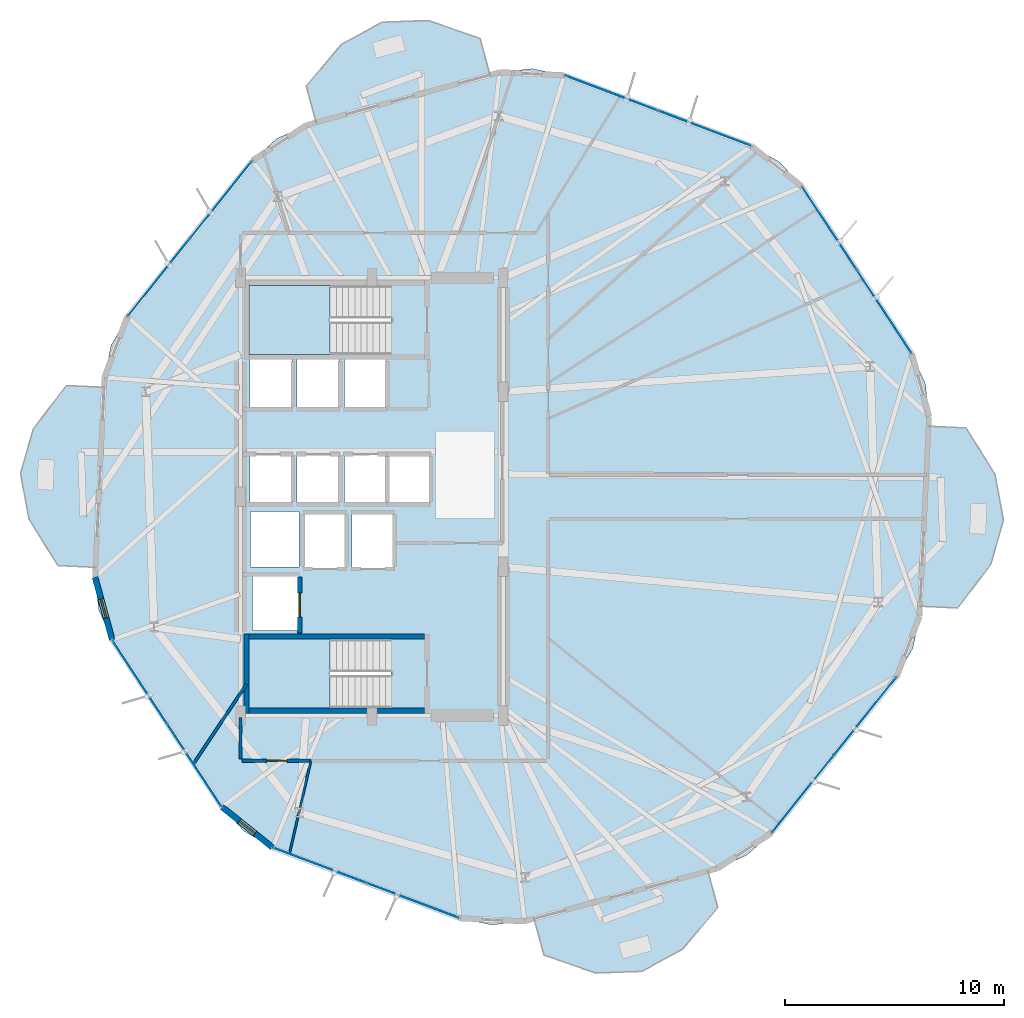
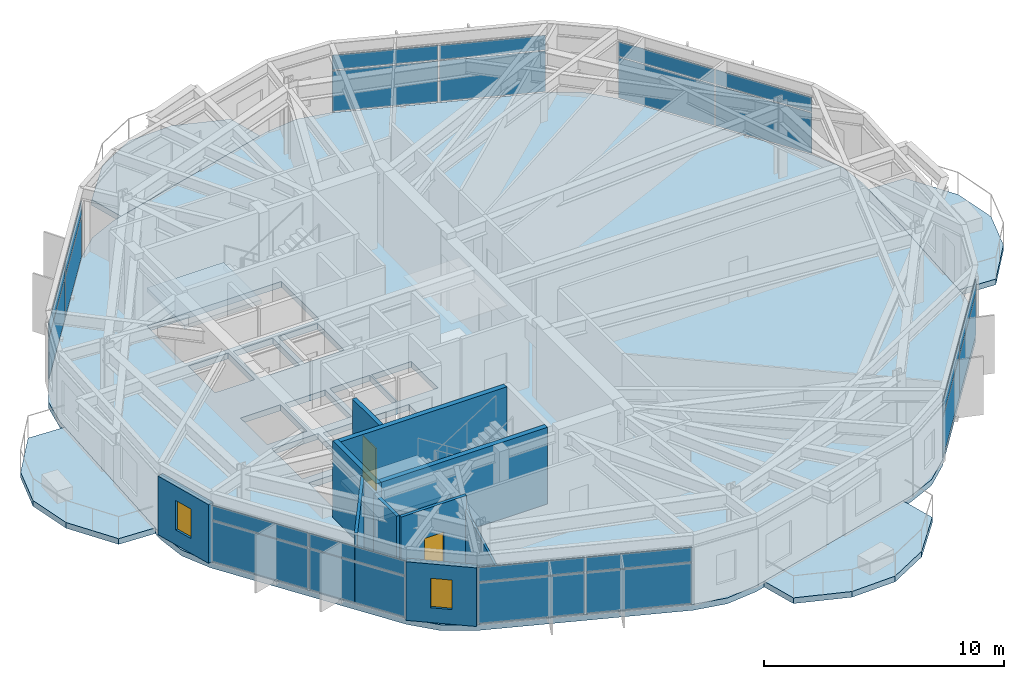
# One storey, part 19 of 25: 24 plates, 10 walls, 7 slabs, 2 doors, 2 windows, 4 openings, 8 elements without a shape of their own.
"""IFC4 building model written with IfcOpenShell, lengths in metres."""

from ifc_helpers import new_model, si_unit, direction, frame, frame_2d, origin, origin_2d, place, context, subcontext, project, spatial, polyline, rectangle, outline, extrude, material, layer, layer_set, type_object, element, fill, aggregate, save


model = new_model("IFC4")

# Units and contexts
model_context = context("Model", 3, precision=1e-05, world=origin(), true_north=direction((0.0, 1.0)))
body_context = subcontext(model_context, "Body", "Model", "MODEL_VIEW")
ifc_project = project(units=[si_unit("LENGTHUNIT", "METRE"), si_unit("AREAUNIT", "SQUARE_METRE"), si_unit("VOLUMEUNIT", "CUBIC_METRE"), si_unit("PLANEANGLEUNIT", "RADIAN"), si_unit("MASSUNIT", "GRAM", prefix="KILO")], contexts=[model_context])

# Site, building, storey
site_placement = place(None, origin())
site = spatial("IfcSite", under=ifc_project, at=site_placement, CompositionType="ELEMENT")
building_placement = place(site_placement, origin())
building = spatial("IfcBuilding", under=site, at=building_placement, Name="Soratama Intermodal Tower", CompositionType="ELEMENT")
storey_placement = place(building_placement, frame((0.0, 0.0, 87.39990234375)))
storey = spatial("IfcBuildingStorey", under=building, at=storey_placement, Name="L20", CompositionType="ELEMENT", Elevation=87.39990234375)

# Curtain wall, plates
ifc_material_1 = material(Name="Double-glazed aluminium curtain wall", Category="aluminium")
ifc_layer_1 = layer(ifc_material_1, 0.159912109375)
ifc_layer_set_1 = layer_set([ifc_layer_1], Name="Double-glazed aluminium curtain wall")
curtain_wall_type = type_object("IfcCurtainWallType", Name="CW-SYS-3", PredefinedType="NOTDEFINED", material=ifc_layer_set_1)
curtain_wall_1_placement = place(storey_placement, origin())
curtain_wall_1 = element("IfcCurtainWall", 1, at=curtain_wall_1_placement, inside=storey, type_object=curtain_wall_type, Name="L20 Faceted Curtain Wall F01", PredefinedType="NOTDEFINED")
ifc_material_2 = material(Name="Low-E laminated double glazing", Category="glass")
ifc_layer_2 = layer(ifc_material_2, 0.028076171875)
ifc_layer_set_2 = layer_set([ifc_layer_2], Name="Low-E laminated double glazing")
plate_type = type_object("IfcPlateType", Name="PT-CWP-3", PredefinedType="CURTAIN_PANEL", material=ifc_layer_set_2)
plate_1_placement = place(storey_placement, frame((61.998779296875, 33.453369140625, 0.06005859375), z_axis=(0.0, 0.0, 1.0), x_axis=(-0.549022692078, 0.835807444082, 0.0)))
plate_1 = element("IfcPlate", 2, at=plate_1_placement, type_object=plate_type, Name="CW-3 panel 1.1", PredefinedType="CURTAIN_PANEL", context=body_context, shape_type="SweptSolid", body=[
    extrude(rectangle(XDim=4.474853515625, YDim=0.028076171875, at=origin_2d()), origin(), (0.0, 0.0, 1.0), 2.06005859375),
])
plate_2_placement = place(storey_placement, frame((61.998779296875, 33.453369140625, 2.18017578125), z_axis=(0.0, 0.0, 1.0), x_axis=(-0.549022692078, 0.835807444082, 0.0)))
plate_2 = element("IfcPlate", 3, at=plate_2_placement, type_object=plate_type, Name="CW-3 panel 1.2", PredefinedType="CURTAIN_PANEL", context=body_context, shape_type="SweptSolid", body=[
    extrude(rectangle(XDim=4.474853515625, YDim=0.028076171875, at=origin_2d()), origin(), (0.0, 0.0, 1.0), 0.739013671875),
])
plate_3_placement = place(storey_placement, frame((59.50927734375, 37.24365234375, 0.06005859375), z_axis=(0.0, 0.0, 1.0), x_axis=(-0.549022692078, 0.835807444082, 0.0)))
plate_3 = element("IfcPlate", 4, at=plate_3_placement, type_object=plate_type, Name="CW-3 panel 2.1", PredefinedType="CURTAIN_PANEL", context=body_context, shape_type="SweptSolid", body=[
    extrude(rectangle(XDim=4.474853515625, YDim=0.028076171875, at=origin_2d()), origin(), (0.0, 0.0, 1.0), 2.06005859375),
])
plate_4_placement = place(storey_placement, frame((59.50927734375, 37.24365234375, 2.18017578125), z_axis=(0.0, 0.0, 1.0), x_axis=(-0.549022692078, 0.835807444082, 0.0)))
plate_4 = element("IfcPlate", 5, at=plate_4_placement, type_object=plate_type, Name="CW-3 panel 2.2", PredefinedType="CURTAIN_PANEL", context=body_context, shape_type="SweptSolid", body=[
    extrude(rectangle(XDim=4.474853515625, YDim=0.028076171875, at=origin_2d()), origin(), (0.0, 0.0, 1.0), 0.739013671875),
])
aggregate(curtain_wall_1, [plate_1, plate_2, plate_3, plate_4])

curtain_wall_2_placement = place(storey_placement, origin())
curtain_wall_2 = element("IfcCurtainWall", 6, at=curtain_wall_2_placement, inside=storey, type_object=curtain_wall_type, Name="L20 Faceted Curtain Wall F02", PredefinedType="NOTDEFINED")
plate_5_placement = place(storey_placement, frame((53.78369140625, 41.83056640625, 0.06005859375), z_axis=(0.0, 0.0, 1.0), x_axis=(-0.935446662578, 0.353467878982, 0.0)))
plate_5 = element("IfcPlate", 7, at=plate_5_placement, type_object=plate_type, Name="CW-3 panel 1.1", PredefinedType="CURTAIN_PANEL", context=body_context, shape_type="SweptSolid", body=[
    extrude(rectangle(XDim=4.474853515625, YDim=0.028076171875, at=origin_2d()), origin(), (0.0, 0.0, 1.0), 2.06005859375),
])
plate_6_placement = place(storey_placement, frame((53.78369140625, 41.83056640625, 2.18017578125), z_axis=(0.0, 0.0, 1.0), x_axis=(-0.935446662578, 0.353467878982, 0.0)))
plate_6 = element("IfcPlate", 8, at=plate_6_placement, type_object=plate_type, Name="CW-3 panel 1.2", PredefinedType="CURTAIN_PANEL", context=body_context, shape_type="SweptSolid", body=[
    extrude(rectangle(XDim=4.474853515625, YDim=0.028076171875, at=origin_2d()), origin(), (0.0, 0.0, 1.0), 0.739013671875),
])
plate_7_placement = place(storey_placement, frame((49.54150390625, 43.43359375, 0.06005859375), z_axis=(0.0, 0.0, 1.0), x_axis=(-0.935446662578, 0.353467878982, 0.0)))
plate_7 = element("IfcPlate", 9, at=plate_7_placement, type_object=plate_type, Name="CW-3 panel 2.1", PredefinedType="CURTAIN_PANEL", context=body_context, shape_type="SweptSolid", body=[
    extrude(rectangle(XDim=4.474853515625, YDim=0.028076171875, at=origin_2d()), origin(), (0.0, 0.0, 1.0), 2.06005859375),
])
plate_8_placement = place(storey_placement, frame((49.54150390625, 43.43359375, 2.18017578125), z_axis=(0.0, 0.0, 1.0), x_axis=(-0.935446662578, 0.353467878982, 0.0)))
plate_8 = element("IfcPlate", 10, at=plate_8_placement, type_object=plate_type, Name="CW-3 panel 2.2", PredefinedType="CURTAIN_PANEL", context=body_context, shape_type="SweptSolid", body=[
    extrude(rectangle(XDim=4.474853515625, YDim=0.028076171875, at=origin_2d()), origin(), (0.0, 0.0, 1.0), 0.739013671875),
])
aggregate(curtain_wall_2, [plate_5, plate_6, plate_7, plate_8])

curtain_wall_3_placement = place(storey_placement, origin())
curtain_wall_3 = element("IfcCurtainWall", 11, at=curtain_wall_3_placement, inside=storey, type_object=curtain_wall_type, Name="L20 Faceted Curtain Wall F04", PredefinedType="NOTDEFINED")
plate_9_placement = place(storey_placement, frame((31.707275390625, 38.5546875, 0.06005859375), z_axis=(0.0, 0.0, 1.0), x_axis=(-0.625241237795, -0.780431543802, 0.0)))
plate_9 = element("IfcPlate", 12, at=plate_9_placement, type_object=plate_type, Name="CW-3 panel 1.1", PredefinedType="CURTAIN_PANEL", context=body_context, shape_type="SweptSolid", body=[
    extrude(rectangle(XDim=4.474609375, YDim=0.028076171875, at=origin_2d()), origin(), (0.0, 0.0, 1.0), 2.06005859375),
])
plate_10_placement = place(storey_placement, frame((31.707275390625, 38.5546875, 2.18017578125), z_axis=(0.0, 0.0, 1.0), x_axis=(-0.625241237795, -0.780431543802, 0.0)))
plate_10 = element("IfcPlate", 13, at=plate_10_placement, type_object=plate_type, Name="CW-3 panel 1.2", PredefinedType="CURTAIN_PANEL", context=body_context, shape_type="SweptSolid", body=[
    extrude(rectangle(XDim=4.474609375, YDim=0.028076171875, at=origin_2d()), origin(), (0.0, 0.0, 1.0), 0.739013671875),
])
plate_11_placement = place(storey_placement, frame((28.8720703125, 35.015625, 0.06005859375), z_axis=(0.0, 0.0, 1.0), x_axis=(-0.625241237795, -0.780431543802, 0.0)))
plate_11 = element("IfcPlate", 14, at=plate_11_placement, type_object=plate_type, Name="CW-3 panel 2.1", PredefinedType="CURTAIN_PANEL", context=body_context, shape_type="SweptSolid", body=[
    extrude(rectangle(XDim=4.474609375, YDim=0.028076171875, at=origin_2d()), origin(), (0.0, 0.0, 1.0), 2.06005859375),
])
plate_12_placement = place(storey_placement, frame((28.8720703125, 35.015625, 2.18017578125), z_axis=(0.0, 0.0, 1.0), x_axis=(-0.625241237795, -0.780431543802, 0.0)))
plate_12 = element("IfcPlate", 15, at=plate_12_placement, type_object=plate_type, Name="CW-3 panel 2.2", PredefinedType="CURTAIN_PANEL", context=body_context, shape_type="SweptSolid", body=[
    extrude(rectangle(XDim=4.474609375, YDim=0.028076171875, at=origin_2d()), origin(), (0.0, 0.0, 1.0), 0.739013671875),
])
aggregate(curtain_wall_3, [plate_9, plate_10, plate_11, plate_12])

curtain_wall_4_placement = place(storey_placement, origin())
curtain_wall_4 = element("IfcCurtainWall", 16, at=curtain_wall_4_placement, inside=storey, type_object=curtain_wall_type, Name="L20 Faceted Curtain Wall F06", PredefinedType="NOTDEFINED")
plate_13_placement = place(storey_placement, frame((28.001220703125, 16.546630859375, 0.06005859375), z_axis=(0.0, 0.0, 1.0), x_axis=(0.549022692078, -0.835807444082, 0.0)))
plate_13 = element("IfcPlate", 17, at=plate_13_placement, type_object=plate_type, Name="CW-3 panel 1.1", PredefinedType="CURTAIN_PANEL", context=body_context, shape_type="SweptSolid", body=[
    extrude(rectangle(XDim=4.474853515625, YDim=0.028076171875, at=origin_2d()), origin(), (0.0, 0.0, 1.0), 2.06005859375),
])
plate_14_placement = place(storey_placement, frame((28.001220703125, 16.546630859375, 2.18017578125), z_axis=(0.0, 0.0, 1.0), x_axis=(0.549022692078, -0.835807444082, 0.0)))
plate_14 = element("IfcPlate", 18, at=plate_14_placement, type_object=plate_type, Name="CW-3 panel 1.2", PredefinedType="CURTAIN_PANEL", context=body_context, shape_type="SweptSolid", body=[
    extrude(rectangle(XDim=4.474853515625, YDim=0.028076171875, at=origin_2d()), origin(), (0.0, 0.0, 1.0), 0.739013671875),
])
plate_15_placement = place(storey_placement, frame((30.49072265625, 12.75634765625, 0.06005859375), z_axis=(0.0, 0.0, 1.0), x_axis=(0.549022692078, -0.835807444082, 0.0)))
plate_15 = element("IfcPlate", 19, at=plate_15_placement, type_object=plate_type, Name="CW-3 panel 2.1", PredefinedType="CURTAIN_PANEL", context=body_context, shape_type="SweptSolid", body=[
    extrude(rectangle(XDim=4.474853515625, YDim=0.028076171875, at=origin_2d()), origin(), (0.0, 0.0, 1.0), 2.06005859375),
])
plate_16_placement = place(storey_placement, frame((30.49072265625, 12.75634765625, 2.18017578125), z_axis=(0.0, 0.0, 1.0), x_axis=(0.549022692078, -0.835807444082, 0.0)))
plate_16 = element("IfcPlate", 20, at=plate_16_placement, type_object=plate_type, Name="CW-3 panel 2.2", PredefinedType="CURTAIN_PANEL", context=body_context, shape_type="SweptSolid", body=[
    extrude(rectangle(XDim=4.474853515625, YDim=0.028076171875, at=origin_2d()), origin(), (0.0, 0.0, 1.0), 0.739013671875),
])
aggregate(curtain_wall_4, [plate_13, plate_14, plate_15, plate_16])

curtain_wall_5_placement = place(storey_placement, origin())
curtain_wall_5 = element("IfcCurtainWall", 21, at=curtain_wall_5_placement, inside=storey, type_object=curtain_wall_type, Name="L20 Faceted Curtain Wall F07", PredefinedType="NOTDEFINED")
plate_17_placement = place(storey_placement, frame((36.21630859375, 8.16943359375, 0.06005859375), z_axis=(0.0, 0.0, 1.0), x_axis=(0.935446662578, -0.353467878982, 0.0)))
plate_17 = element("IfcPlate", 22, at=plate_17_placement, type_object=plate_type, Name="CW-3 panel 1.1", PredefinedType="CURTAIN_PANEL", context=body_context, shape_type="SweptSolid", body=[
    extrude(rectangle(XDim=4.474853515625, YDim=0.028076171875, at=origin_2d()), origin(), (0.0, 0.0, 1.0), 2.06005859375),
])
plate_18_placement = place(storey_placement, frame((36.21630859375, 8.16943359375, 2.18017578125), z_axis=(0.0, 0.0, 1.0), x_axis=(0.935446662578, -0.353467878982, 0.0)))
plate_18 = element("IfcPlate", 23, at=plate_18_placement, type_object=plate_type, Name="CW-3 panel 1.2", PredefinedType="CURTAIN_PANEL", context=body_context, shape_type="SweptSolid", body=[
    extrude(rectangle(XDim=4.474853515625, YDim=0.028076171875, at=origin_2d()), origin(), (0.0, 0.0, 1.0), 0.739013671875),
])
plate_19_placement = place(storey_placement, frame((40.45849609375, 6.56640625, 0.06005859375), z_axis=(0.0, 0.0, 1.0), x_axis=(0.935446662578, -0.353467878982, 0.0)))
plate_19 = element("IfcPlate", 24, at=plate_19_placement, type_object=plate_type, Name="CW-3 panel 2.1", PredefinedType="CURTAIN_PANEL", context=body_context, shape_type="SweptSolid", body=[
    extrude(rectangle(XDim=4.474853515625, YDim=0.028076171875, at=origin_2d()), origin(), (0.0, 0.0, 1.0), 2.06005859375),
])
plate_20_placement = place(storey_placement, frame((40.45849609375, 6.56640625, 2.18017578125), z_axis=(0.0, 0.0, 1.0), x_axis=(0.935446662578, -0.353467878982, 0.0)))
plate_20 = element("IfcPlate", 25, at=plate_20_placement, type_object=plate_type, Name="CW-3 panel 2.2", PredefinedType="CURTAIN_PANEL", context=body_context, shape_type="SweptSolid", body=[
    extrude(rectangle(XDim=4.474853515625, YDim=0.028076171875, at=origin_2d()), origin(), (0.0, 0.0, 1.0), 0.739013671875),
])
aggregate(curtain_wall_5, [plate_17, plate_18, plate_19, plate_20])

curtain_wall_6_placement = place(storey_placement, origin())
curtain_wall_6 = element("IfcCurtainWall", 26, at=curtain_wall_6_placement, inside=storey, type_object=curtain_wall_type, Name="L20 Faceted Curtain Wall F09", PredefinedType="NOTDEFINED")
plate_21_placement = place(storey_placement, frame((58.292724609375, 11.4453125, 0.06005859375), z_axis=(0.0, 0.0, 1.0), x_axis=(0.625241237795, 0.780431543802, 0.0)))
plate_21 = element("IfcPlate", 27, at=plate_21_placement, type_object=plate_type, Name="CW-3 panel 1.1", PredefinedType="CURTAIN_PANEL", context=body_context, shape_type="SweptSolid", body=[
    extrude(rectangle(XDim=4.474609375, YDim=0.028076171875, at=origin_2d()), origin(), (0.0, 0.0, 1.0), 2.06005859375),
])
plate_22_placement = place(storey_placement, frame((58.292724609375, 11.4453125, 2.18017578125), z_axis=(0.0, 0.0, 1.0), x_axis=(0.625241237795, 0.780431543802, 0.0)))
plate_22 = element("IfcPlate", 28, at=plate_22_placement, type_object=plate_type, Name="CW-3 panel 1.2", PredefinedType="CURTAIN_PANEL", context=body_context, shape_type="SweptSolid", body=[
    extrude(rectangle(XDim=4.474609375, YDim=0.028076171875, at=origin_2d()), origin(), (0.0, 0.0, 1.0), 0.739013671875),
])
plate_23_placement = place(storey_placement, frame((61.1279296875, 14.984375, 0.06005859375), z_axis=(0.0, 0.0, 1.0), x_axis=(0.625241237795, 0.780431543802, 0.0)))
plate_23 = element("IfcPlate", 29, at=plate_23_placement, type_object=plate_type, Name="CW-3 panel 2.1", PredefinedType="CURTAIN_PANEL", context=body_context, shape_type="SweptSolid", body=[
    extrude(rectangle(XDim=4.474609375, YDim=0.028076171875, at=origin_2d()), origin(), (0.0, 0.0, 1.0), 2.06005859375),
])
plate_24_placement = place(storey_placement, frame((61.1279296875, 14.984375, 2.18017578125), z_axis=(0.0, 0.0, 1.0), x_axis=(0.625241237795, 0.780431543802, 0.0)))
plate_24 = element("IfcPlate", 30, at=plate_24_placement, type_object=plate_type, Name="CW-3 panel 2.2", PredefinedType="CURTAIN_PANEL", context=body_context, shape_type="SweptSolid", body=[
    extrude(rectangle(XDim=4.474609375, YDim=0.028076171875, at=origin_2d()), origin(), (0.0, 0.0, 1.0), 0.739013671875),
])
aggregate(curtain_wall_6, [plate_21, plate_22, plate_23, plate_24])

# Slabs
ifc_material_3 = material(Name="Concrete f'c 42 MPa", Category="concrete")
ifc_layer_3 = layer(ifc_material_3, 0.2900390625)
ifc_layer_set_3 = layer_set([ifc_layer_3], Name="Concrete f'c 42 MPa")
slab_type_1 = type_object("IfcSlabType", Name="SL-EXT-BAL2", PredefinedType="FLOOR", material=ifc_layer_set_3)
slab_1_placement = place(storey_placement, frame((0.0, 0.0, -0.289794921875)))
element("IfcSlab", 31, at=slab_1_placement, inside=storey, type_object=slab_type_1, Name="L20 Planted Balcony East 1", PredefinedType="FLOOR", context=body_context, shape_type="SweptSolid", body=[
    extrude(outline(polyline([(63.634033203125, 20.001953125), (64.021728515625, 28.222412109375), (65.739990234375, 28.141357421875), (67.056640625, 26.01953125), (67.44384765625, 23.941650390625), (66.86279296875, 21.9091796875), (65.352294921875, 19.9208984375), (63.634033203125, 20.001953125)])), origin(), (0.0, 0.0, 1.0), 0.289794921875),
])
slab_2_placement = place(storey_placement, frame((0.0, 0.0, -0.289794921875)))
element("IfcSlab", 32, at=slab_2_placement, inside=storey, type_object=slab_type_1, Name="L20 Planted Balcony North 2", PredefinedType="FLOOR", context=body_context, shape_type="SweptSolid", body=[
    extrude(outline(polyline([(43.9951171875, 44.2666015625), (36.057373046875, 42.094970703125), (35.603515625, 43.754150390625), (37.214599609375, 45.662109375), (39.071044921875, 46.672607421875), (41.18359375, 46.747802734375), (43.54150390625, 45.92578125), (43.9951171875, 44.2666015625)])), origin(), (0.0, 0.0, 1.0), 0.289794921875),
])
slab_3_placement = place(storey_placement, frame((0.0, 0.0, -0.289794921875)))
element("IfcSlab", 33, at=slab_3_placement, inside=storey, type_object=slab_type_1, Name="L20 Planted Balcony West 3", PredefinedType="FLOOR", context=body_context, shape_type="SweptSolid", body=[
    extrude(outline(polyline([(26.365966796875, 29.998046875), (25.978271484375, 21.777587890625), (24.260009765625, 21.858642578125), (22.943359375, 23.98046875), (22.55615234375, 26.058349609375), (23.13720703125, 28.0908203125), (24.647705078125, 30.0791015625), (26.365966796875, 29.998046875)])), origin(), (0.0, 0.0, 1.0), 0.289794921875),
])
slab_4_placement = place(storey_placement, frame((0.0, 0.0, -0.289794921875)))
element("IfcSlab", 34, at=slab_4_placement, inside=storey, type_object=slab_type_1, Name="L20 Planted Balcony South 4", PredefinedType="FLOOR", context=body_context, shape_type="SweptSolid", body=[
    extrude(outline(polyline([(46.0048828125, 5.7333984375), (53.942626953125, 7.905029296875), (54.396484375, 6.245849609375), (52.785400390625, 4.337890625), (50.928955078125, 3.327392578125), (48.81640625, 3.252197265625), (46.45849609375, 4.07421875), (46.0048828125, 5.7333984375)])), origin(), (0.0, 0.0, 1.0), 0.289794921875),
])

# Stair, slab
ifc_material_4 = material(Name="Concrete f'c 42 MPa", Category="concrete")
stair_type = type_object("IfcStairType", Name="ST-CORE-DOGLEG", PredefinedType="HALF_TURN_STAIR", material=ifc_material_4)
stair_1_placement = place(storey_placement, origin())
stair_1 = element("IfcStair", 35, at=stair_1_placement, inside=storey, type_object=stair_type, Name="L20 ST-1", PredefinedType="HALF_TURN_STAIR")
ifc_material_5 = material(Name="Concrete f'c 42 MPa", Category="concrete")
ifc_layer_4 = layer(ifc_material_5, 0.219970703125)
ifc_layer_set_4 = layer_set([ifc_layer_4], Name="Concrete f'c 42 MPa")
slab_type_2 = type_object("IfcSlabType", Name="SL-STAIR-LAND", PredefinedType="LANDING", material=ifc_layer_set_4)
slab_5_placement = place(storey_placement, frame((0.0, 0.0, 1.75)))
slab_5 = element("IfcSlab", 36, at=slab_5_placement, type_object=slab_type_2, Name="ST-1 landing 1", PredefinedType="LANDING", context=body_context, shape_type="SweptSolid", body=[
    extrude(outline(polyline([(36.699951171875, 18.5), (33.0, 18.5), (33.0, 15.35009765625), (36.699951171875, 15.35009765625), (36.699951171875, 18.5)])), origin(), (0.0, 0.0, 1.0), 0.2001953125),
])
aggregate(stair_1, [slab_5])

stair_2_placement = place(storey_placement, origin())
stair_2 = element("IfcStair", 37, at=stair_2_placement, inside=storey, type_object=stair_type, Name="L20 ST-2", PredefinedType="HALF_TURN_STAIR")
slab_6_placement = place(storey_placement, frame((0.0, 0.0, 1.75)))
slab_6 = element("IfcSlab", 38, at=slab_6_placement, type_object=slab_type_2, Name="ST-2 landing 1", PredefinedType="LANDING", context=body_context, shape_type="SweptSolid", body=[
    extrude(outline(polyline([(36.699951171875, 34.64990234375), (33.0, 34.64990234375), (33.0, 31.5), (36.699951171875, 31.5), (36.699951171875, 34.64990234375)])), origin(), (0.0, 0.0, 1.0), 0.2001953125),
])
aggregate(stair_2, [slab_6])

# Slab
ifc_material_6 = material(Name="Concrete f'c 42 MPa", Category="concrete")
ifc_layer_5 = layer(ifc_material_6, 0.280029296875)
ifc_layer_set_5 = layer_set([ifc_layer_5], Name="Concrete f'c 42 MPa")
slab_type_3 = type_object("IfcSlabType", Name="SL-TWR-280", PredefinedType="FLOOR", material=ifc_layer_set_5)
slab_7_placement = place(storey_placement, frame((0.0, 0.0, -0.2998046875)))
element("IfcSlab", 39, at=slab_7_placement, inside=storey, type_object=slab_type_3, Name="L20 Structural Floor Slab", PredefinedType="FLOOR", context=body_context, shape_type="SweptSolid", body=[
    extrude(outline(polyline([(64.04296875, 28.671875), (63.878173828125, 30.16455078125), (63.26025390625, 31.533203125), (58.247802734375, 39.163818359375), (57.2373046875, 40.2744140625), (55.9326171875, 41.0185546875), (47.392578125, 44.24560546875), (45.922119140625, 44.55029296875), (44.42919921875, 44.385498046875), (35.623291015625, 41.976318359375), (34.254638671875, 41.3583984375), (33.143798828125, 40.34765625), (27.435791015625, 33.22265625), (26.691650390625, 31.918212890625), (26.38720703125, 30.447509765625), (25.95703125, 21.328125), (26.121826171875, 19.83544921875), (26.73974609375, 18.466796875), (31.752197265625, 10.836181640625), (32.7626953125, 9.7255859375), (34.0673828125, 8.9814453125), (42.607421875, 5.75439453125), (44.077880859375, 5.44970703125), (45.57080078125, 5.614501953125), (54.376708984375, 8.023681640625), (55.745361328125, 8.6416015625), (56.856201171875, 9.65234375), (62.564208984375, 16.77734375), (63.308349609375, 18.081787109375), (63.61279296875, 19.552490234375), (64.04296875, 28.671875)]), holes=[polyline([(33.0, 18.5), (33.0, 15.35009765625), (39.47509765625, 15.35009765625), (39.47509765625, 18.5), (33.0, 18.5)]), polyline([(35.260009765625, 18.889892578125), (35.260009765625, 21.409912109375), (33.139892578125, 21.409912109375), (33.139892578125, 18.889892578125), (35.260009765625, 18.889892578125)]), polyline([(33.050048828125, 21.800048828125), (35.280029296875, 21.800048828125), (35.280029296875, 24.320068359375), (33.050048828125, 24.320068359375), (33.050048828125, 21.800048828125)]), polyline([(34.9599609375, 26.909912109375), (33.0400390625, 26.909912109375), (33.0400390625, 24.68994140625), (34.9599609375, 24.68994140625), (34.9599609375, 26.909912109375)]), polyline([(37.110107421875, 24.68994140625), (37.110107421875, 26.909912109375), (35.18994140625, 26.909912109375), (35.18994140625, 24.68994140625), (37.110107421875, 24.68994140625)]), polyline([(34.9599609375, 29.0400390625), (34.9599609375, 31.260009765625), (33.0400390625, 31.260009765625), (33.0400390625, 29.0400390625), (34.9599609375, 29.0400390625)]), polyline([(37.110107421875, 31.260009765625), (35.18994140625, 31.260009765625), (35.18994140625, 29.0400390625), (37.110107421875, 29.0400390625), (37.110107421875, 31.260009765625)]), polyline([(37.409912109375, 21.739990234375), (37.409912109375, 24.260009765625), (35.489990234375, 24.260009765625), (35.489990234375, 21.739990234375), (37.409912109375, 21.739990234375)]), polyline([(39.610107421875, 21.739990234375), (39.610107421875, 24.260009765625), (37.68994140625, 24.260009765625), (37.68994140625, 21.739990234375), (39.610107421875, 21.739990234375)]), polyline([(39.260009765625, 24.68994140625), (39.260009765625, 26.909912109375), (37.340087890625, 26.909912109375), (37.340087890625, 24.68994140625), (39.260009765625, 24.68994140625)]), polyline([(41.260009765625, 24.68994140625), (41.260009765625, 26.909912109375), (39.340087890625, 26.909912109375), (39.340087890625, 24.68994140625), (41.260009765625, 24.68994140625)]), polyline([(39.260009765625, 29.0400390625), (39.260009765625, 31.260009765625), (37.340087890625, 31.260009765625), (37.340087890625, 29.0400390625), (39.260009765625, 29.0400390625)]), polyline([(39.47509765625, 34.64990234375), (33.0, 34.64990234375), (33.0, 31.5), (39.47509765625, 31.5), (39.47509765625, 34.64990234375)])]), origin(), (0.0, 0.0, 1.0), 0.2998046875),
])

# Wall, opening, window
ifc_material_7 = material(Name="Concrete f'c 42 MPa", Category="concrete")
ifc_layer_6 = layer(ifc_material_7, 0.27001953125)
ifc_layer_set_6 = layer_set([ifc_layer_6], Name="Concrete f'c 42 MPa")
wall_type_1 = type_object("IfcWallType", Name="EW-CRN-270", PredefinedType="SOLIDWALL", material=ifc_layer_set_6)
wall_1_placement = place(storey_placement, frame((25.95703125, 21.328125, 0.0), z_axis=(0.0, 0.0, 1.0), x_axis=(0.263855501226, -0.964562219078, 0.0)))
wall_1 = element("IfcWall", 40, at=wall_1_placement, inside=storey, type_object=wall_type_1, Name="L20 Corner Closure Wall 05", PredefinedType="SOLIDWALL", context=body_context, shape_type="SweptSolid", body=[
    extrude(rectangle(XDim=2.966552734375, YDim=0.27001953125, at=frame_2d((1.4833984375, 0.0))), origin(), (0.0, 0.0, 1.0), 2.97900390625),
])
opening_1_placement = place(wall_1_placement, frame((1.033203125, 0.0, 0.75)))
opening_1 = element("IfcOpeningElement", 41, at=opening_1_placement, cuts=wall_1, Name="Opening WN-6", PredefinedType="OPENING", context=body_context, shape_type="SweptSolid", body=[
    extrude(rectangle(XDim=0.89990234375, YDim=1.5, at=frame_2d((0.449951171875, 0.75))), frame((0.0, 0.14501953125, 0.0), z_axis=(0.0, -1.0, 0.0), x_axis=(1.0, 0.0, 0.0)), (0.0, 0.0, 1.0), 0.2900390625),
])
ifc_material_8 = material(Name="Double-glazed aluminium window", Category="aluminium")
window_type = type_object("IfcWindowType", Name="WN-FAC-900", PartitioningType="SINGLE_PANEL", PredefinedType="WINDOW", material=ifc_material_8)
window_1_placement = place(opening_1_placement, origin())
window_1 = element("IfcWindow", 42, at=window_1_placement, inside=storey, type_object=window_type, Name="L20 Corner Window 05", OverallHeight=1.5, OverallWidth=0.89990234375, PartitioningType="SINGLE_PANEL", PredefinedType="WINDOW", context=body_context, shape_type="SweptSolid", body=[
    extrude(rectangle(XDim=0.89990234375, YDim=1.5, at=frame_2d((0.449951171875, 0.75))), frame((0.0, 0.030029296875, 0.0), z_axis=(0.0, -1.0, 0.0), x_axis=(1.0, 0.0, 0.0)), (0.0, 0.0, 1.0), 0.06005859375),
])
fill(opening_1, window_1)

wall_2_placement = place(storey_placement, frame((31.752197265625, 10.836181640625, 0.0), z_axis=(0.0, 0.0, 1.0), x_axis=(0.780443081308, -0.625226836307, 0.0)))
wall_2 = element("IfcWall", 43, at=wall_2_placement, inside=storey, type_object=wall_type_1, Name="L20 Corner Closure Wall 06", PredefinedType="SOLIDWALL", context=body_context, shape_type="SweptSolid", body=[
    extrude(rectangle(XDim=2.966552734375, YDim=0.27001953125, at=frame_2d((1.4833984375, 0.0))), origin(), (0.0, 0.0, 1.0), 2.97900390625),
])
opening_2_placement = place(wall_2_placement, frame((1.033203125, 0.0, 0.75)))
opening_2 = element("IfcOpeningElement", 44, at=opening_2_placement, cuts=wall_2, Name="Opening WN-6", PredefinedType="OPENING", context=body_context, shape_type="SweptSolid", body=[
    extrude(rectangle(XDim=0.89990234375, YDim=1.5, at=frame_2d((0.449951171875, 0.75))), frame((0.0, 0.14501953125, 0.0), z_axis=(0.0, -1.0, 0.0), x_axis=(1.0, 0.0, 0.0)), (0.0, 0.0, 1.0), 0.2900390625),
])
window_2_placement = place(opening_2_placement, origin())
window_2 = element("IfcWindow", 45, at=window_2_placement, inside=storey, type_object=window_type, Name="L20 Corner Window 06", OverallHeight=1.5, OverallWidth=0.89990234375, PartitioningType="SINGLE_PANEL", PredefinedType="WINDOW", context=body_context, shape_type="SweptSolid", body=[
    extrude(rectangle(XDim=0.89990234375, YDim=1.5, at=frame_2d((0.449951171875, 0.75))), frame((0.0, 0.030029296875, 0.0), z_axis=(0.0, -1.0, 0.0), x_axis=(1.0, 0.0, 0.0)), (0.0, 0.0, 1.0), 0.06005859375),
])
fill(opening_2, window_2)

# Wall, opening, door
ifc_material_9 = material(Name="Fire-rated gypsum stud partition", Category="concrete")
ifc_layer_7 = layer(ifc_material_9, 0.14990234375)
ifc_layer_set_7 = layer_set([ifc_layer_7], Name="Fire-rated gypsum stud partition")
wall_type_2 = type_object("IfcWallType", Name="IW-PART-R150", PredefinedType="PARTITIONING", material=ifc_layer_set_7)
wall_3_placement = place(storey_placement, frame((35.819091796875, 12.949951171875, 0.0), z_axis=(0.0, 0.0, 1.0), x_axis=(-1.0, 0.0, 0.0)))
wall_3 = element("IfcWall", 46, at=wall_3_placement, inside=storey, type_object=wall_type_2, Name="L20 Partition W-L20-TP020", PredefinedType="PARTITIONING", context=body_context, shape_type="SweptSolid", body=[
    extrude(rectangle(XDim=3.149169921875, YDim=0.14990234375, at=frame_2d((1.57470703125, 0.0))), origin(), (0.0, 0.0, 1.0), 3.60009765625),
])
opening_3_placement = place(wall_3_placement, frame((1.10009765625, 0.0, 0.0)))
opening_3 = element("IfcOpeningElement", 47, at=opening_3_placement, cuts=wall_3, Name="Opening ID-6", PredefinedType="OPENING", context=body_context, shape_type="SweptSolid", body=[
    extrude(rectangle(XDim=0.919921875, YDim=2.1201171875, at=frame_2d((0.4599609375, 1.06005859375))), frame((0.0, 0.0849609375, 0.0), z_axis=(0.0, -1.0, 0.0), x_axis=(1.0, 0.0, 0.0)), (0.0, 0.0, 1.0), 0.169921875),
])
ifc_material_10 = material(Name="Solid hardwood acoustic door", Category="wood")
door_type_1 = type_object("IfcDoorType", Name="DR-ROOM-920", OperationType="NOTDEFINED", PredefinedType="DOOR", material=ifc_material_10)
door_1_placement = place(opening_3_placement, origin())
door_1 = element("IfcDoor", 48, at=door_1_placement, inside=storey, type_object=door_type_1, Name="L20 Door D-L20-TP009", OperationType="SINGLE_SWING_RIGHT", OverallHeight=2.1201171875, OverallWidth=0.919921875, PredefinedType="DOOR", context=body_context, shape_type="SweptSolid", body=[
    extrude(rectangle(XDim=0.919921875, YDim=2.1201171875, at=frame_2d((0.4599609375, 1.06005859375))), frame((0.0, 0.02490234375, 0.0), z_axis=(0.0, -1.0, 0.0), x_axis=(1.0, 0.0, 0.0)), (0.0, 0.0, 1.0), 0.050048828125),
])
fill(opening_3, door_1)

# Walls
wall_4_placement = place(storey_placement, frame((32.60009765625, 13.02001953125, 0.0), z_axis=(0.0, 0.0, 1.0), x_axis=(0.0, 1.0, 0.0)))
element("IfcWall", 49, at=wall_4_placement, inside=storey, type_object=wall_type_2, Name="L20 Partition W-L20-TP025", PredefinedType="PARTITIONING", context=body_context, shape_type="SweptSolid", body=[
    extrude(rectangle(XDim=1.909912109375, YDim=0.14990234375, at=frame_2d((0.955078125, 0.0))), origin(), (0.0, 0.0, 1.0), 3.60009765625),
])
ifc_material_11 = material(Name="Fire-rated gypsum stud partition", Category="concrete")
ifc_layer_8 = layer(ifc_material_11, 0.10009765625)
ifc_layer_set_8 = layer_set([ifc_layer_8], Name="Fire-rated gypsum stud partition")
wall_type_3 = type_object("IfcWallType", Name="IW-PART-S100", PredefinedType="PARTITIONING", material=ifc_layer_set_8)
wall_5_placement = place(storey_placement, frame((35.819091796875, 12.949951171875, 0.0), z_axis=(0.0, 0.0, 1.0), x_axis=(-0.225136871807, -0.97432714678, 0.0)))
element("IfcWall", 50, at=wall_5_placement, inside=storey, type_object=wall_type_3, Name="L20 Partition W-L20-TP015", PredefinedType="PARTITIONING", context=body_context, shape_type="SweptSolid", body=[
    extrude(rectangle(XDim=4.371337890625, YDim=0.10009765625, at=frame_2d((2.185546875, 0.0))), origin(), (0.0, 0.0, 1.0), 2.89501953125),
])
ifc_material_12 = material(Name="Fire-rated gypsum stud partition", Category="concrete")
ifc_layer_9 = layer(ifc_material_12, 0.139892578125)
ifc_layer_set_9 = layer_set([ifc_layer_9], Name="Fire-rated gypsum stud partition")
wall_type_4 = type_object("IfcWallType", Name="IW-PART-S140", PredefinedType="PARTITIONING", material=ifc_layer_set_9)
wall_6_placement = place(storey_placement, frame((32.8798828125, 16.43896484375, 0.0), z_axis=(0.0, 0.0, 1.0), x_axis=(-0.5557844679, -0.831326425203, 0.0)))
element("IfcWall", 51, at=wall_6_placement, inside=storey, type_object=wall_type_4, Name="L20 Partition W-L20-TP016", PredefinedType="PARTITIONING", context=body_context, shape_type="SweptSolid", body=[
    extrude(rectangle(XDim=4.36279296875, YDim=0.139892578125, at=frame_2d((2.181396484375, 0.0))), origin(), (0.0, 0.0, 1.0), 3.60009765625),
])

# Wall, opening, door
ifc_material_13 = material(Name="Concrete f'c 42 MPa", Category="concrete")
ifc_layer_10 = layer(ifc_material_13, 0.199951171875)
ifc_layer_set_10 = layer_set([ifc_layer_10], Name="Concrete f'c 42 MPa")
wall_type_5 = type_object("IfcWallType", Name="IW-SHAFT-200", PredefinedType="SOLIDWALL", material=ifc_layer_set_10)
wall_7_placement = place(storey_placement, frame((35.300048828125, 18.7900390625, 0.0), z_axis=(0.0, 0.0, 1.0), x_axis=(0.0, 1.0, 0.0)))
wall_7 = element("IfcWall", 52, at=wall_7_placement, inside=storey, type_object=wall_type_5, Name="L20 SVL-1 Hoistway Wall E", PredefinedType="SOLIDWALL", context=body_context, shape_type="SweptSolid", body=[
    extrude(rectangle(XDim=2.550048828125, YDim=0.199951171875, at=frame_2d((1.27490234375, 0.0))), origin(), (0.0, 0.0, 1.0), 3.60009765625),
])
opening_4_placement = place(wall_7_placement, frame((0.72509765625, 0.0, 0.0)))
opening_4 = element("IfcOpeningElement", 53, at=opening_4_placement, cuts=wall_7, Name="Opening LD-1", PredefinedType="OPENING", context=body_context, shape_type="SweptSolid", body=[
    extrude(rectangle(XDim=1.10009765625, YDim=2.14990234375, at=frame_2d((0.550048828125, 1.074951171875))), frame((0.0, 0.10986328125, 0.0), z_axis=(0.0, -1.0, 0.0), x_axis=(1.0, 0.0, 0.0)), (0.0, 0.0, 1.0), 0.219970703125),
])
ifc_material_14 = material(Name="Steel fire door", Category="steel")
door_type_2 = type_object("IfcDoorType", Name="DR-LIFT-SLIDE", OperationType="NOTDEFINED", PredefinedType="DOOR", material=ifc_material_14)
door_2_placement = place(opening_4_placement, origin())
door_2 = element("IfcDoor", 54, at=door_2_placement, inside=storey, type_object=door_type_2, Name="L20 SVL-1 Sliding Landing Door", OperationType="SLIDING_TO_LEFT", OverallHeight=2.14990234375, OverallWidth=1.10009765625, PredefinedType="DOOR", context=body_context, shape_type="SweptSolid", body=[
    extrude(rectangle(XDim=1.10009765625, YDim=2.14990234375, at=frame_2d((0.550048828125, 1.074951171875))), frame((0.0, 0.02490234375, 0.0), z_axis=(0.0, -1.0, 0.0), x_axis=(1.0, 0.0, 0.0)), (0.0, 0.0, 1.0), 0.050048828125),
])
fill(opening_4, door_2)

# Walls
ifc_material_15 = material(Name="Concrete f'c 56 MPa", Category="concrete")
ifc_layer_11 = layer(ifc_material_15, 0.239990234375)
ifc_layer_set_11 = layer_set([ifc_layer_11], Name="Concrete f'c 56 MPa")
wall_type_6 = type_object("IfcWallType", Name="SW-STAIR-240", PredefinedType="SHEAR", material=ifc_layer_set_11)
wall_8_placement = place(storey_placement, frame((32.8798828125, 15.110107421875, 0.0), z_axis=(0.0, 0.0, 1.0), x_axis=(0.0, 1.0, 0.0)))
element("IfcWall", 55, at=wall_8_placement, inside=storey, type_object=wall_type_6, Name="L20 ST-1 Shaft Shear Wall W", PredefinedType="SHEAR", context=body_context, shape_type="SweptSolid", body=[
    extrude(rectangle(XDim=3.6298828125, YDim=0.239990234375, at=frame_2d((1.81494140625, 0.0))), origin(), (0.0, 0.0, 1.0), 3.900146484375),
])
for number, where, z_axis, x_axis, name in (
    (56, (33.0, 15.22998046875, 0.0), (0.0, 0.0, 1.0), (1.0, 0.0, 0.0), "L20 ST-1 Shaft Shear Wall S"),
    (57, (33.0, 18.6201171875, 0.0), (0.0, 0.0, 1.0), (1.0, 0.0, 0.0), "L20 ST-1 Shaft Shear Wall N"),
):
    element("IfcWall", number, at=place(storey_placement, frame(where, z_axis=z_axis, x_axis=x_axis)), inside=storey, type_object=wall_type_6, Name=name, PredefinedType="SHEAR", context=body_context, shape_type="SweptSolid", body=[
        extrude(rectangle(XDim=8.0, YDim=0.239990234375, at=frame_2d((4.0, 0.0))), origin(), (0.0, 0.0, 1.0), 3.900146484375),
    ])

save(model, "model.ifc")
